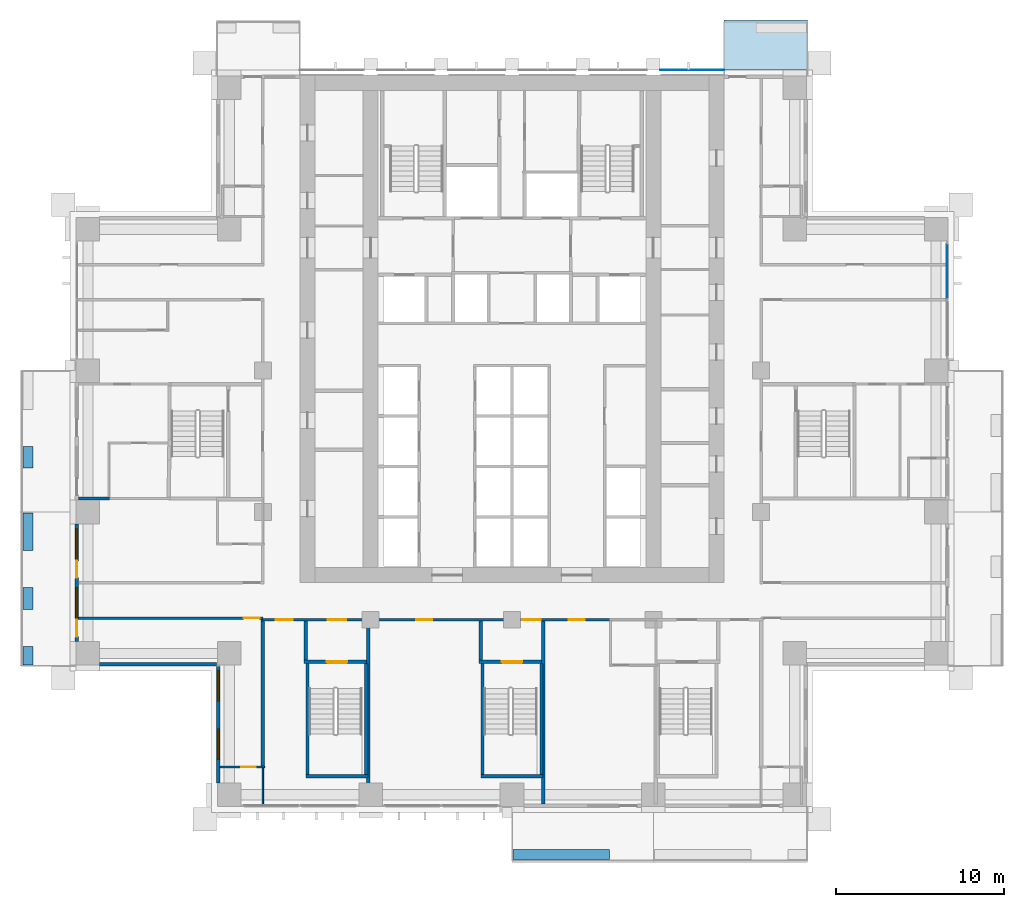
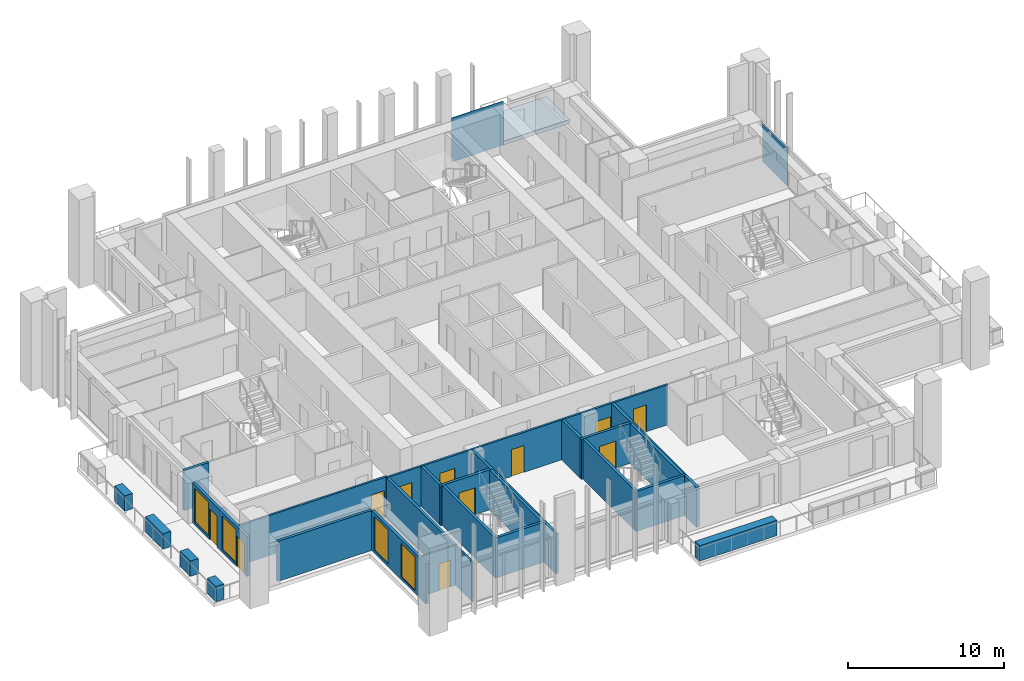
# One storey, part 8 of 19: 26 walls, 11 doors, 4 windows, 2 plates, 1 slab, 15 openings, 1 element without a shape of its own.
"""IFC4 building model written with IfcOpenShell, lengths in metres."""

from ifc_helpers import new_model, si_unit, direction, frame, frame_2d, origin, origin_2d, place, context, subcontext, project, spatial, polyline, rectangle, outline, extrude, material, layer, layer_set, type_object, element, fill, aggregate, save


model = new_model("IFC4")

# Units and contexts
model_context = context("Model", 3, precision=1e-05, world=origin(), true_north=direction((0.0, 1.0)))
body_context = subcontext(model_context, "Body", "Model", "MODEL_VIEW")
ifc_project = project(units=[si_unit("LENGTHUNIT", "METRE"), si_unit("AREAUNIT", "SQUARE_METRE"), si_unit("VOLUMEUNIT", "CUBIC_METRE"), si_unit("PLANEANGLEUNIT", "RADIAN"), si_unit("MASSUNIT", "GRAM", prefix="KILO")], contexts=[model_context])

# Site, building, storey
site_placement = place(None, origin())
site = spatial("IfcSite", under=ifc_project, at=site_placement, CompositionType="ELEMENT")
building_placement = place(site_placement, origin())
building = spatial("IfcBuilding", under=site, at=building_placement, Name="Vermilion Ogive Tower", CompositionType="ELEMENT")
storey_placement = place(building_placement, frame((0.0, 0.0, 48.300048828125)))
storey = spatial("IfcBuildingStorey", under=building, at=storey_placement, Name="L10", CompositionType="ELEMENT", Elevation=48.300048828125)

# Slab
ifc_material_1 = material(Name="Concrete B40", Category="concrete")
ifc_layer_1 = layer(ifc_material_1, 0.300048828125)
ifc_layer_set_1 = layer_set([ifc_layer_1], Name="Balcony slab")
slab_type = type_object("IfcSlabType", Name="Balcony slab", PredefinedType="FLOOR", material=ifc_layer_set_1)
slab_placement = place(storey_placement, frame((0.0, 0.0, -0.340087890625)))
element("IfcSlab", 1, at=slab_placement, inside=storey, type_object=slab_type, Name="Balcony slab N101", PredefinedType="FLOOR", context=body_context, shape_type="SweptSolid", body=[
    extrude(outline(polyline([(17.550048828125, 25.030029296875), (12.60009765625, 25.030029296875), (12.60009765625, 22.050048828125), (17.550048828125, 22.050048828125), (17.550048828125, 25.030029296875)])), origin(), (0.0, 0.0, 1.0), 0.300048828125),
])

# Curtain wall, plate
ifc_material_2 = material(Name="Low-iron laminated glazing in aluminium frame", Category="aluminium")
curtain_wall_type = type_object("IfcCurtainWallType", Name="Curtain wall CW7", PredefinedType="NOTDEFINED", material=ifc_material_2)
curtain_wall_placement = place(storey_placement, origin())
curtain_wall = element("IfcCurtainWall", 2, at=curtain_wall_placement, inside=storey, type_object=curtain_wall_type, Name="Glazed skin E3", PredefinedType="NOTDEFINED")
ifc_material_3 = material(Name="Low-iron laminated glazing in aluminium frame", Category="aluminium")
ifc_layer_2 = layer(ifc_material_3, 0.031982421875)
ifc_layer_set_2 = layer_set([ifc_layer_2], Name="CW7 glazing panel 32")
plate_type_1 = type_object("IfcPlateType", Name="CW7 glazing panel 32", PredefinedType="CURTAIN_PANEL", material=ifc_layer_set_2)
plate_1_placement = place(storey_placement, frame((25.85009765625, 10.10498046875, 0.06005859375), z_axis=(0.0, 0.0, 1.0), x_axis=(0.0, 1.0, 0.0)))
plate_1 = element("IfcPlate", 3, at=plate_1_placement, type_object=plate_type_1, Name="CW7-E3 panel 2.1", PredefinedType="CURTAIN_PANEL", context=body_context, shape_type="SweptSolid", body=[
    extrude(rectangle(XDim=3.22998046875, YDim=0.031982421875, at=origin_2d()), origin(), (0.0, 0.0, 1.0), 3.010009765625),
])
aggregate(curtain_wall, [plate_1])

# Plate
ifc_material_4 = material(Name="Low-iron laminated glazing in aluminium frame", Category="aluminium")
ifc_layer_3 = layer(ifc_material_4, 0.031982421875)
ifc_layer_set_3 = layer_set([ifc_layer_3], Name="Glazed rainscreen sheet 32")
plate_type_2 = type_object("IfcPlateType", Name="Glazed rainscreen sheet 32", PredefinedType="SHEET", material=ifc_layer_set_3)
plate_2_placement = place(storey_placement, frame((10.7099609375, 22.06591796875, -0.31982421875), z_axis=(0.0, 0.0, 1.0), x_axis=(1.0, 0.0, 0.0)))
element("IfcPlate", 4, at=plate_2_placement, inside=storey, type_object=plate_type_2, Name="Glazed rainscreen sheet N6", PredefinedType="SHEET", context=body_context, shape_type="SweptSolid", body=[
    extrude(rectangle(XDim=3.820068359375, YDim=0.031982421875, at=origin_2d()), origin(), (0.0, 0.0, 1.0), 3.449951171875),
])

# Wall, opening, door
ifc_material_5 = material(Name="Gypsum board partition on steel studs", Category="steel")
ifc_layer_4 = layer(ifc_material_5, 0.10009765625)
ifc_layer_set_4 = layer_set([ifc_layer_4], Name="Partition 100 bath")
wall_type_1 = type_object("IfcWallType", Name="Partition 100 bath", PredefinedType="PARTITIONING", material=ifc_layer_set_4)
wall_1_placement = place(storey_placement, frame((-17.35009765625, -19.35009765625, 0.0), z_axis=(0.0, 0.0, 1.0), x_axis=(1.0, 0.0, 0.0)))
wall_1 = element("IfcWall", 5, at=wall_1_placement, inside=storey, type_object=wall_type_1, Name="L10-W-W004", PredefinedType="PARTITIONING", context=body_context, shape_type="SweptSolid", body=[
    extrude(rectangle(XDim=2.650146484375, YDim=0.10009765625, at=frame_2d((1.3251953125, 0.0))), origin(), (0.0, 0.0, 1.0), 3.1298828125),
])
opening_1_placement = place(wall_1_placement, frame((1.275146484375, 0.0, 0.0)))
opening_1 = element("IfcOpeningElement", 6, at=opening_1_placement, cuts=wall_1, Name="Opening D1G3002", PredefinedType="OPENING", context=body_context, shape_type="SweptSolid", body=[
    extrude(rectangle(XDim=0.85009765625, YDim=2.10009765625, at=frame_2d((0.425048828125, 1.050048828125))), frame((0.0, 0.06005859375, 0.0), z_axis=(0.0, -1.0, 0.0), x_axis=(1.0, 0.0, 0.0)), (0.0, 0.0, 1.0), 0.1201171875),
])
ifc_material_6 = material(Name="Timber door leaf", Category="wood")
door_type_1 = type_object("IfcDoorType", Name="Bath door 850 x 2100 FD30", OperationType="SINGLE_SWING_LEFT", PredefinedType="DOOR", material=ifc_material_6)
door_1_placement = place(opening_1_placement, origin())
door_1 = element("IfcDoor", 7, at=door_1_placement, inside=storey, type_object=door_type_1, Name="L10-D-D002", OperationType="SINGLE_SWING_RIGHT", OverallHeight=2.10009765625, OverallWidth=0.85009765625, PredefinedType="DOOR", context=body_context, shape_type="SweptSolid", body=[
    extrude(rectangle(XDim=0.85009765625, YDim=2.10009765625, at=frame_2d((0.425048828125, 1.050048828125))), frame((0.0, 0.02490234375, 0.0), z_axis=(0.0, -1.0, 0.0), x_axis=(1.0, 0.0, 0.0)), (0.0, 0.0, 1.0), 0.050048828125),
])
fill(opening_1, door_1)

# Wall
wall_2_placement = place(storey_placement, frame((-14.800048828125, -21.550048828125, 0.0), z_axis=(0.0, 0.0, 1.0), x_axis=(0.0, 1.0, 0.0)))
element("IfcWall", 8, at=wall_2_placement, inside=storey, type_object=wall_type_1, Name="L10-W-W048", PredefinedType="PARTITIONING", context=body_context, shape_type="SweptSolid", body=[
    extrude(rectangle(XDim=2.150146484375, YDim=0.10009765625, at=frame_2d((1.0751953125, 0.0))), origin(), (0.0, 0.0, 1.0), 3.1298828125),
])

# Wall, openings, doors
ifc_material_7 = material(Name="Gypsum board partition on steel studs", Category="steel")
ifc_layer_5 = layer(ifc_material_7, 0.14990234375)
ifc_layer_set_5 = layer_set([ifc_layer_5], Name="Partition 150 corridor")
wall_type_2 = type_object("IfcWallType", Name="Partition 150 corridor", PredefinedType="PARTITIONING", material=ifc_layer_set_5)
wall_3_placement = place(storey_placement, frame((-14.89990234375, -10.60009765625, 0.0), z_axis=(0.0, 0.0, 1.0), x_axis=(1.0, 0.0, 0.0)))
wall_3 = element("IfcWall", 9, at=wall_3_placement, inside=storey, type_object=wall_type_2, Name="L10-W-W010", PredefinedType="PARTITIONING", context=body_context, shape_type="SweptSolid", body=[
    extrude(rectangle(XDim=20.7998046875, YDim=0.14990234375, at=frame_2d((10.39990234375, 0.0))), origin(), (0.0, 0.0, 1.0), 3.1298828125),
])
opening_2_placement = place(wall_3_placement, frame((9.224853515625, 0.0, 0.0)))
opening_2 = element("IfcOpeningElement", 10, at=opening_2_placement, cuts=wall_3, Name="Opening D1G3011", PredefinedType="OPENING", context=body_context, shape_type="SweptSolid", body=[
    extrude(rectangle(XDim=0.949951171875, YDim=2.10009765625, at=frame_2d((0.47509765625, 1.050048828125))), frame((0.0, 0.0849609375, 0.0), z_axis=(0.0, -1.0, 0.0), x_axis=(1.0, 0.0, 0.0)), (0.0, 0.0, 1.0), 0.169921875),
])
opening_3_placement = place(wall_3_placement, frame((18.27490234375, 0.0, 0.0)))
opening_3 = element("IfcOpeningElement", 11, at=opening_3_placement, cuts=wall_3, Name="Opening D1G3012", PredefinedType="OPENING", context=body_context, shape_type="SweptSolid", body=[
    extrude(rectangle(XDim=0.949951171875, YDim=2.10009765625, at=frame_2d((0.47509765625, 1.050048828125))), frame((0.0, 0.0849609375, 0.0), z_axis=(0.0, -1.0, 0.0), x_axis=(1.0, 0.0, 0.0)), (0.0, 0.0, 1.0), 0.169921875),
])
opening_4_placement = place(wall_3_placement, frame((3.949951171875, 0.0, 0.0)))
opening_4 = element("IfcOpeningElement", 12, at=opening_4_placement, cuts=wall_3, Name="Opening D1G3023", PredefinedType="OPENING", context=body_context, shape_type="SweptSolid", body=[
    extrude(rectangle(XDim=1.10009765625, YDim=2.10009765625, at=frame_2d((0.550048828125, 1.050048828125))), frame((0.0, 0.0849609375, 0.0), z_axis=(0.0, -1.0, 0.0), x_axis=(1.0, 0.0, 0.0)), (0.0, 0.0, 1.0), 0.169921875),
])
opening_5_placement = place(wall_3_placement, frame((15.5, 0.0, 0.0)))
opening_5 = element("IfcOpeningElement", 13, at=opening_5_placement, cuts=wall_3, Name="Opening D1G3025", PredefinedType="OPENING", context=body_context, shape_type="SweptSolid", body=[
    extrude(rectangle(XDim=1.10009765625, YDim=2.10009765625, at=frame_2d((0.550048828125, 1.050048828125))), frame((0.0, 0.0849609375, 0.0), z_axis=(0.0, -1.0, 0.0), x_axis=(1.0, 0.0, 0.0)), (0.0, 0.0, 1.0), 0.169921875),
])
opening_6_placement = place(wall_3_placement, frame((0.875, 0.0, 0.0)))
opening_6 = element("IfcOpeningElement", 14, at=opening_6_placement, cuts=wall_3, Name="Opening D1G3033", PredefinedType="OPENING", context=body_context, shape_type="SweptSolid", body=[
    extrude(rectangle(XDim=1.0, YDim=2.10009765625, at=frame_2d((0.5, 1.050048828125))), frame((0.0, 0.0849609375, 0.0), z_axis=(0.0, -1.0, 0.0), x_axis=(1.0, 0.0, 0.0)), (0.0, 0.0, 1.0), 0.169921875),
])
ifc_material_8 = material(Name="Timber door leaf", Category="wood")
door_type_2 = type_object("IfcDoorType", Name="Stair door 1100 x 2100 FD60S", OperationType="SINGLE_SWING_LEFT", PredefinedType="DOOR", material=ifc_material_8)
door_2_placement = place(opening_4_placement, origin())
door_2 = element("IfcDoor", 15, at=door_2_placement, inside=storey, type_object=door_type_2, Name="L10-D-D023", OperationType="SINGLE_SWING_RIGHT", OverallHeight=2.10009765625, OverallWidth=1.10009765625, PredefinedType="DOOR", context=body_context, shape_type="SweptSolid", body=[
    extrude(rectangle(XDim=1.10009765625, YDim=2.10009765625, at=frame_2d((0.550048828125, 1.050048828125))), frame((0.0, 0.02490234375, 0.0), z_axis=(0.0, -1.0, 0.0), x_axis=(1.0, 0.0, 0.0)), (0.0, 0.0, 1.0), 0.050048828125),
])
fill(opening_4, door_2)
door_3_placement = place(opening_5_placement, origin())
door_3 = element("IfcDoor", 16, at=door_3_placement, inside=storey, type_object=door_type_2, Name="L10-D-D025", OperationType="SINGLE_SWING_LEFT", OverallHeight=2.10009765625, OverallWidth=1.10009765625, PredefinedType="DOOR", context=body_context, shape_type="SweptSolid", body=[
    extrude(rectangle(XDim=1.10009765625, YDim=2.10009765625, at=frame_2d((0.550048828125, 1.050048828125))), frame((0.0, 0.02490234375, 0.0), z_axis=(0.0, -1.0, 0.0), x_axis=(1.0, 0.0, 0.0)), (0.0, 0.0, 1.0), 0.050048828125),
])
fill(opening_5, door_3)
ifc_material_9 = material(Name="Timber door leaf", Category="wood")
door_type_3 = type_object("IfcDoorType", Name="Unit door 1000 x 2100 FD30S", OperationType="SINGLE_SWING_LEFT", PredefinedType="DOOR", material=ifc_material_9)
door_4_placement = place(opening_6_placement, origin())
door_4 = element("IfcDoor", 17, at=door_4_placement, inside=storey, type_object=door_type_3, Name="L10-D-D033", OperationType="SINGLE_SWING_RIGHT", OverallHeight=2.10009765625, OverallWidth=1.0, PredefinedType="DOOR", context=body_context, shape_type="SweptSolid", body=[
    extrude(rectangle(XDim=1.0, YDim=2.10009765625, at=frame_2d((0.5, 1.050048828125))), frame((0.0, 0.02490234375, 0.0), z_axis=(0.0, -1.0, 0.0), x_axis=(1.0, 0.0, 0.0)), (0.0, 0.0, 1.0), 0.050048828125),
])
fill(opening_6, door_4)
ifc_material_10 = material(Name="Timber door leaf", Category="wood")
door_type_4 = type_object("IfcDoorType", Name="Unit door 950 x 2100 FD30S", OperationType="SINGLE_SWING_LEFT", PredefinedType="DOOR", material=ifc_material_10)
door_5_placement = place(opening_2_placement, origin())
door_5 = element("IfcDoor", 18, at=door_5_placement, inside=storey, type_object=door_type_4, Name="L10-D-D011", OperationType="SINGLE_SWING_LEFT", OverallHeight=2.10009765625, OverallWidth=0.949951171875, PredefinedType="DOOR", context=body_context, shape_type="SweptSolid", body=[
    extrude(rectangle(XDim=0.949951171875, YDim=2.10009765625, at=frame_2d((0.47509765625, 1.050048828125))), frame((0.0, 0.02490234375, 0.0), z_axis=(0.0, -1.0, 0.0), x_axis=(1.0, 0.0, 0.0)), (0.0, 0.0, 1.0), 0.050048828125),
])
fill(opening_2, door_5)
door_6_placement = place(opening_3_placement, origin())
door_6 = element("IfcDoor", 19, at=door_6_placement, inside=storey, type_object=door_type_4, Name="L10-D-D012", OperationType="SINGLE_SWING_LEFT", OverallHeight=2.10009765625, OverallWidth=0.949951171875, PredefinedType="DOOR", context=body_context, shape_type="SweptSolid", body=[
    extrude(rectangle(XDim=0.949951171875, YDim=2.10009765625, at=frame_2d((0.47509765625, 1.050048828125))), frame((0.0, 0.02490234375, 0.0), z_axis=(0.0, -1.0, 0.0), x_axis=(1.0, 0.0, 0.0)), (0.0, 0.0, 1.0), 0.050048828125),
])
fill(opening_3, door_6)

# Wall, opening, door
wall_4_placement = place(storey_placement, frame((-25.75, -10.5, 0.0), z_axis=(0.0, 0.0, 1.0), x_axis=(1.0, 0.0, 0.0)))
wall_4 = element("IfcWall", 20, at=wall_4_placement, inside=storey, type_object=wall_type_2, Name="L10-W-W013", PredefinedType="PARTITIONING", context=body_context, shape_type="SweptSolid", body=[
    extrude(rectangle(XDim=10.949951171875, YDim=0.14990234375, at=frame_2d((5.47509765625, 0.0))), origin(), (0.0, 0.0, 1.0), 3.1298828125),
])
opening_7_placement = place(wall_4_placement, frame((9.800048828125, 0.0, 0.0)))
opening_7 = element("IfcOpeningElement", 21, at=opening_7_placement, cuts=wall_4, Name="Opening D1G3001", PredefinedType="OPENING", context=body_context, shape_type="SweptSolid", body=[
    extrude(rectangle(XDim=0.949951171875, YDim=2.10009765625, at=frame_2d((0.47509765625, 1.050048828125))), frame((0.0, 0.0849609375, 0.0), z_axis=(0.0, -1.0, 0.0), x_axis=(1.0, 0.0, 0.0)), (0.0, 0.0, 1.0), 0.169921875),
])
door_7_placement = place(opening_7_placement, origin())
door_7 = element("IfcDoor", 22, at=door_7_placement, inside=storey, type_object=door_type_4, Name="L10-D-D001", OperationType="SINGLE_SWING_RIGHT", OverallHeight=2.10009765625, OverallWidth=0.949951171875, PredefinedType="DOOR", context=body_context, shape_type="SweptSolid", body=[
    extrude(rectangle(XDim=0.949951171875, YDim=2.10009765625, at=frame_2d((0.47509765625, 1.050048828125))), frame((0.0, 0.02490234375, 0.0), z_axis=(0.0, -1.0, 0.0), x_axis=(1.0, 0.0, 0.0)), (0.0, 0.0, 1.0), 0.050048828125),
])
fill(opening_7, door_7)

# Walls
ifc_material_11 = material(Name="Gypsum board partition on steel studs", Category="steel")
ifc_layer_6 = layer(ifc_material_11, 0.199951171875)
ifc_layer_set_6 = layer_set([ifc_layer_6], Name="Partition 200 party")
wall_type_3 = type_object("IfcWallType", Name="Partition 200 party", PredefinedType="PARTITIONING", material=ifc_layer_set_6)
wall_5_placement = place(storey_placement, frame((-25.75, -3.39990234375, 0.0), z_axis=(0.0, 0.0, 1.0), x_axis=(1.0, 0.0, 0.0)))
element("IfcWall", 23, at=wall_5_placement, inside=storey, type_object=wall_type_3, Name="L10-W-W018", PredefinedType="PARTITIONING", context=body_context, shape_type="SweptSolid", body=[
    extrude(rectangle(XDim=1.85009765625, YDim=0.199951171875, at=frame_2d((0.925048828125, 0.0))), origin(), (0.0, 0.0, 1.0), 3.1298828125),
])
wall_6_placement = place(storey_placement, frame((-14.800048828125, -19.300048828125, 0.0), z_axis=(0.0, 0.0, 1.0), x_axis=(0.0, 1.0, 0.0)))
element("IfcWall", 24, at=wall_6_placement, inside=storey, type_object=wall_type_3, Name="L10-W-W049", PredefinedType="PARTITIONING", context=body_context, shape_type="SweptSolid", body=[
    extrude(rectangle(XDim=8.625, YDim=0.199951171875, at=frame_2d((4.3125, 0.0))), origin(), (0.0, 0.0, 1.0), 3.1298828125),
])
ifc_material_12 = material(Name="Concrete B60", Category="concrete")
ifc_layer_7 = layer(ifc_material_12, 0.199951171875)
ifc_layer_set_7 = layer_set([ifc_layer_7], Name="Stair shaft wall 200 Concrete B60")
wall_type_4 = type_object("IfcWallType", Name="Stair shaft wall 200 Concrete B60", PredefinedType="SOLIDWALL", material=ifc_layer_set_7)
wall_7_placement = place(storey_placement, frame((-12.248046875, -19.89990234375, 0.0), z_axis=(0.0, 0.0, 1.0), x_axis=(1.0, 0.0, 0.0)))
element("IfcWall", 25, at=wall_7_placement, inside=storey, type_object=wall_type_4, Name="L10-W-W001", PredefinedType="SOLIDWALL", context=body_context, shape_type="SweptSolid", body=[
    extrude(rectangle(XDim=3.696044921875, YDim=0.199951171875, at=frame_2d((1.84814453125, 0.0))), origin(), (0.0, 0.0, 1.0), 3.1298828125),
])
wall_8_placement = place(storey_placement, frame((-1.847900390625, -19.89990234375, 0.0), z_axis=(0.0, 0.0, 1.0), x_axis=(1.0, 0.0, 0.0)))
element("IfcWall", 26, at=wall_8_placement, inside=storey, type_object=wall_type_4, Name="L10-W-W002", PredefinedType="SOLIDWALL", context=body_context, shape_type="SweptSolid", body=[
    extrude(rectangle(XDim=3.69580078125, YDim=0.199951171875, at=frame_2d((1.847900390625, 0.0))), origin(), (0.0, 0.0, 1.0), 3.1298828125),
])

# Wall, opening, door
wall_9_placement = place(storey_placement, frame((-12.347900390625, -13.10009765625, 0.0), z_axis=(0.0, 0.0, 1.0), x_axis=(1.0, 0.0, 0.0)))
wall_9 = element("IfcWall", 27, at=wall_9_placement, inside=storey, type_object=wall_type_4, Name="L10-W-W007", PredefinedType="SOLIDWALL", context=body_context, shape_type="SweptSolid", body=[
    extrude(rectangle(XDim=3.69580078125, YDim=0.199951171875, at=frame_2d((1.847900390625, 0.0))), origin(), (0.0, 0.0, 1.0), 3.1298828125),
])
opening_8_placement = place(wall_9_placement, frame((1.347900390625, 0.0, 0.0)))
opening_8 = element("IfcOpeningElement", 28, at=opening_8_placement, cuts=wall_9, Name="Opening D1G3024", PredefinedType="OPENING", context=body_context, shape_type="SweptSolid", body=[
    extrude(rectangle(XDim=1.199951171875, YDim=2.10009765625, at=frame_2d((0.60009765625, 1.050048828125))), frame((0.0, 0.10986328125, 0.0), z_axis=(0.0, -1.0, 0.0), x_axis=(1.0, 0.0, 0.0)), (0.0, 0.0, 1.0), 0.219970703125),
])
ifc_material_13 = material(Name="Timber door leaf", Category="wood")
door_type_5 = type_object("IfcDoorType", Name="Stair door 1200 x 2100 FD60S", OperationType="SINGLE_SWING_LEFT", PredefinedType="DOOR", material=ifc_material_13)
door_8_placement = place(opening_8_placement, origin())
door_8 = element("IfcDoor", 29, at=door_8_placement, inside=storey, type_object=door_type_5, Name="L10-D-D024", OperationType="SINGLE_SWING_RIGHT", OverallHeight=2.10009765625, OverallWidth=1.199951171875, PredefinedType="DOOR", context=body_context, shape_type="SweptSolid", body=[
    extrude(rectangle(XDim=1.199951171875, YDim=2.10009765625, at=frame_2d((0.60009765625, 1.050048828125))), frame((0.0, 0.02490234375, 0.0), z_axis=(0.0, -1.0, 0.0), x_axis=(1.0, 0.0, 0.0)), (0.0, 0.0, 1.0), 0.050048828125),
])
fill(opening_8, door_8)

wall_10_placement = place(storey_placement, frame((-1.947998046875, -13.10009765625, 0.0), z_axis=(0.0, 0.0, 1.0), x_axis=(1.0, 0.0, 0.0)))
wall_10 = element("IfcWall", 30, at=wall_10_placement, inside=storey, type_object=wall_type_4, Name="L10-W-W008", PredefinedType="SOLIDWALL", context=body_context, shape_type="SweptSolid", body=[
    extrude(rectangle(XDim=3.696044921875, YDim=0.199951171875, at=frame_2d((1.84814453125, 0.0))), origin(), (0.0, 0.0, 1.0), 3.1298828125),
])
opening_9_placement = place(wall_10_placement, frame((1.347900390625, 0.0, 0.0)))
opening_9 = element("IfcOpeningElement", 31, at=opening_9_placement, cuts=wall_10, Name="Opening D1G3026", PredefinedType="OPENING", context=body_context, shape_type="SweptSolid", body=[
    extrude(rectangle(XDim=1.199951171875, YDim=2.10009765625, at=frame_2d((0.60009765625, 1.050048828125))), frame((0.0, 0.10986328125, 0.0), z_axis=(0.0, -1.0, 0.0), x_axis=(1.0, 0.0, 0.0)), (0.0, 0.0, 1.0), 0.219970703125),
])
door_9_placement = place(opening_9_placement, origin())
door_9 = element("IfcDoor", 32, at=door_9_placement, inside=storey, type_object=door_type_5, Name="L10-D-D026", OperationType="SINGLE_SWING_RIGHT", OverallHeight=2.10009765625, OverallWidth=1.199951171875, PredefinedType="DOOR", context=body_context, shape_type="SweptSolid", body=[
    extrude(rectangle(XDim=1.199951171875, YDim=2.10009765625, at=frame_2d((0.60009765625, 1.050048828125))), frame((0.0, 0.02490234375, 0.0), z_axis=(0.0, -1.0, 0.0), x_axis=(1.0, 0.0, 0.0)), (0.0, 0.0, 1.0), 0.050048828125),
])
fill(opening_9, door_9)

# Walls
wall_11_placement = place(storey_placement, frame((-12.25, -12.998046875, 0.0), z_axis=(0.0, 0.0, 1.0), x_axis=(0.0, 1.0, 0.0)))
element("IfcWall", 33, at=wall_11_placement, inside=storey, type_object=wall_type_4, Name="L10-W-W056", PredefinedType="SOLIDWALL", context=body_context, shape_type="SweptSolid", body=[
    extrude(rectangle(XDim=2.322998046875, YDim=0.199951171875, at=frame_2d((1.16162109375, 0.0))), origin(), (0.0, 0.0, 1.0), 3.1298828125),
])
for number, where, z_axis, x_axis, name in (
    (34, (-12.14990234375, -19.798095703125, 0.0), (0.0, 0.0, 1.0), (0.0, 1.0, 0.0), "L10-W-W057"),
    (35, (-8.64990234375, -19.798095703125, 0.0), (0.0, 0.0, 1.0), (0.0, 1.0, 0.0), "L10-W-W058"),
):
    element("IfcWall", number, at=place(storey_placement, frame(where, z_axis=z_axis, x_axis=x_axis)), inside=storey, type_object=wall_type_4, Name=name, PredefinedType="SOLIDWALL", context=body_context, shape_type="SweptSolid", body=[
        extrude(rectangle(XDim=6.59619140625, YDim=0.199951171875, at=frame_2d((3.298095703125, 0.0))), origin(), (0.0, 0.0, 1.0), 3.1298828125),
    ])
wall_12_placement = place(storey_placement, frame((-1.85009765625, -12.998046875, 0.0), z_axis=(0.0, 0.0, 1.0), x_axis=(0.0, 1.0, 0.0)))
element("IfcWall", 36, at=wall_12_placement, inside=storey, type_object=wall_type_4, Name="L10-W-W060", PredefinedType="SOLIDWALL", context=body_context, shape_type="SweptSolid", body=[
    extrude(rectangle(XDim=2.322998046875, YDim=0.199951171875, at=frame_2d((1.16162109375, 0.0))), origin(), (0.0, 0.0, 1.0), 3.1298828125),
])
for number, where, z_axis, x_axis, name in (
    (37, (-1.75, -19.798095703125, 0.0), (0.0, 0.0, 1.0), (0.0, 1.0, 0.0), "L10-W-W061"),
    (38, (1.75, -19.798095703125, 0.0), (0.0, 0.0, 1.0), (0.0, 1.0, 0.0), "L10-W-W062"),
):
    element("IfcWall", number, at=place(storey_placement, frame(where, z_axis=z_axis, x_axis=x_axis)), inside=storey, type_object=wall_type_4, Name=name, PredefinedType="SOLIDWALL", context=body_context, shape_type="SweptSolid", body=[
        extrude(rectangle(XDim=6.59619140625, YDim=0.199951171875, at=frame_2d((3.298095703125, 0.0))), origin(), (0.0, 0.0, 1.0), 3.1298828125),
    ])
for number, where, z_axis, x_axis, name in (
    (39, (1.85009765625, -21.550048828125, 0.0), (0.0, 0.0, 1.0), (0.0, 1.0, 0.0), "L10-W-W063-A"),
    (40, (-8.550048828125, -21.550048828125, 0.0), (0.0, 0.0, 1.0), (0.0, 1.0, 0.0), "L10-W-W059-A"),
):
    element("IfcWall", number, at=place(storey_placement, frame(where, z_axis=z_axis, x_axis=x_axis)), inside=storey, type_object=wall_type_4, Name=name, PredefinedType="SOLIDWALL", context=body_context, shape_type="SweptSolid", body=[
        extrude(rectangle(XDim=10.875, YDim=0.199951171875, at=frame_2d((5.4375, 0.0))), origin(), (0.0, 0.0, 1.0), 3.1298828125),
    ])
ifc_material_14 = material(Name="Concrete B40", Category="concrete")
ifc_layer_8 = layer(ifc_material_14, 0.60009765625)
ifc_layer_set_8 = layer_set([ifc_layer_8], Name="Structural planter")
wall_type_5 = type_object("IfcWallType", Name="Structural planter", PredefinedType="USERDEFINED", material=ifc_layer_set_8)
wall_13_placement = place(storey_placement, frame((0.06005859375, -24.550048828125, -0.0400390625), z_axis=(0.0, 0.0, 1.0), x_axis=(1.0, 0.0, 0.0)))
element("IfcWall", 41, at=wall_13_placement, inside=storey, type_object=wall_type_5, Name="Planter S03A1", ObjectType="PLANTER", PredefinedType="USERDEFINED", context=body_context, shape_type="SweptSolid", body=[
    extrude(rectangle(XDim=5.739990234375, YDim=0.60009765625, at=frame_2d((2.8701171875, 0.0))), origin(), (0.0, 0.0, 1.0), 1.199951171875),
])
wall_14_placement = place(storey_placement, frame((-28.75, -0.300048828125, -0.0400390625), z_axis=(0.0, 0.0, 1.0), x_axis=(0.0, -1.0, 0.0)))
element("IfcWall", 42, at=wall_14_placement, inside=storey, type_object=wall_type_5, Name="Planter W02A2", ObjectType="PLANTER", PredefinedType="USERDEFINED", context=body_context, shape_type="SweptSolid", body=[
    extrude(rectangle(XDim=1.300048828125, YDim=0.60009765625, at=frame_2d((0.64990234375, 0.0))), origin(), (0.0, 0.0, 1.0), 1.199951171875),
])
wall_15_placement = place(storey_placement, frame((-28.75, -4.260009765625, -0.0400390625), z_axis=(0.0, 0.0, 1.0), x_axis=(0.0, -1.0, 0.0)))
element("IfcWall", 43, at=wall_15_placement, inside=storey, type_object=wall_type_5, Name="Planter W03A1", ObjectType="PLANTER", PredefinedType="USERDEFINED", context=body_context, shape_type="SweptSolid", body=[
    extrude(rectangle(XDim=2.239990234375, YDim=0.60009765625, at=frame_2d((1.1201171875, 0.0))), origin(), (0.0, 0.0, 1.0), 1.199951171875),
])
wall_16_placement = place(storey_placement, frame((-28.75, -8.699951171875, -0.0400390625), z_axis=(0.0, 0.0, 1.0), x_axis=(0.0, -1.0, 0.0)))
element("IfcWall", 44, at=wall_16_placement, inside=storey, type_object=wall_type_5, Name="Planter W03A2", ObjectType="PLANTER", PredefinedType="USERDEFINED", context=body_context, shape_type="SweptSolid", body=[
    extrude(rectangle(XDim=1.300048828125, YDim=0.60009765625, at=frame_2d((0.64990234375, 0.0))), origin(), (0.0, 0.0, 1.0), 1.199951171875),
])
wall_17_placement = place(storey_placement, frame((-28.75, -12.199951171875, -0.0400390625), z_axis=(0.0, 0.0, 1.0), x_axis=(0.0, -1.0, 0.0)))
element("IfcWall", 45, at=wall_17_placement, inside=storey, type_object=wall_type_5, Name="Planter W03A3", ObjectType="PLANTER", PredefinedType="USERDEFINED", context=body_context, shape_type="SweptSolid", body=[
    extrude(rectangle(XDim=1.090087890625, YDim=0.60009765625, at=frame_2d((0.544921875, 0.0))), origin(), (0.0, 0.0, 1.0), 1.199951171875),
])

# Wall, openings, doors, windows
ifc_material_15 = material(Name="Aluminium window wall framing", Category="aluminium")
ifc_layer_9 = layer(ifc_material_15, 0.199951171875)
ifc_layer_set_9 = layer_set([ifc_layer_9], Name="Window wall")
wall_type_6 = type_object("IfcWallType", Name="Window wall", PredefinedType="STANDARD", material=ifc_layer_set_9)
wall_18_placement = place(storey_placement, frame((-25.85009765625, -4.89990234375, 0.0), z_axis=(0.0, 0.0, 1.0), x_axis=(0.0, -1.0, 0.0)))
wall_18 = element("IfcWall", 46, at=wall_18_placement, inside=storey, type_object=wall_type_6, Name="Window wall W3", PredefinedType="STANDARD", context=body_context, shape_type="SweptSolid", body=[
    extrude(rectangle(XDim=7.0, YDim=0.199951171875, at=frame_2d((3.5, 0.0))), origin(), (0.0, 0.0, 1.0), 3.1298828125),
])
opening_10_placement = place(wall_18_placement, frame((3.800048828125, 0.0, 0.199951171875)))
opening_10 = element("IfcOpeningElement", 47, at=opening_10_placement, cuts=wall_18, Name="Opening W1-W97", PredefinedType="OPENING", context=body_context, shape_type="SweptSolid", body=[
    extrude(rectangle(XDim=1.800048828125, YDim=2.64990234375, at=frame_2d((0.89990234375, 1.324951171875))), frame((0.0, 0.10986328125, 0.0), z_axis=(0.0, -1.0, 0.0), x_axis=(1.0, 0.0, 0.0)), (0.0, 0.0, 1.0), 0.219970703125),
])
opening_11_placement = place(wall_18_placement, frame((5.699951171875, 0.0, 0.0)))
opening_11 = element("IfcOpeningElement", 48, at=opening_11_placement, cuts=wall_18, Name="Opening D1-W97", PredefinedType="OPENING", context=body_context, shape_type="SweptSolid", body=[
    extrude(rectangle(XDim=1.0, YDim=2.39990234375, at=frame_2d((0.5, 1.199951171875))), frame((0.0, 0.10986328125, 0.0), z_axis=(0.0, -1.0, 0.0), x_axis=(1.0, 0.0, 0.0)), (0.0, 0.0, 1.0), 0.219970703125),
])
opening_12_placement = place(wall_18_placement, frame((0.300048828125, 0.0, 0.199951171875)))
opening_12 = element("IfcOpeningElement", 49, at=opening_12_placement, cuts=wall_18, Name="Opening W1-W98", PredefinedType="OPENING", context=body_context, shape_type="SweptSolid", body=[
    extrude(rectangle(XDim=1.800048828125, YDim=2.64990234375, at=frame_2d((0.89990234375, 1.324951171875))), frame((0.0, 0.10986328125, 0.0), z_axis=(0.0, -1.0, 0.0), x_axis=(1.0, 0.0, 0.0)), (0.0, 0.0, 1.0), 0.219970703125),
])
opening_13_placement = place(wall_18_placement, frame((2.199951171875, 0.0, 0.0)))
opening_13 = element("IfcOpeningElement", 50, at=opening_13_placement, cuts=wall_18, Name="Opening D1-W98", PredefinedType="OPENING", context=body_context, shape_type="SweptSolid", body=[
    extrude(rectangle(XDim=1.0, YDim=2.39990234375, at=frame_2d((0.5, 1.199951171875))), frame((0.0, 0.10986328125, 0.0), z_axis=(0.0, -1.0, 0.0), x_axis=(1.0, 0.0, 0.0)), (0.0, 0.0, 1.0), 0.219970703125),
])
ifc_material_16 = material(Name="Aluminium framed glazed door", Category="aluminium")
door_type_6 = type_object("IfcDoorType", Name="Balcony door D1", OperationType="SINGLE_SWING_LEFT", PredefinedType="DOOR", material=ifc_material_16)
door_10_placement = place(opening_11_placement, origin())
door_10 = element("IfcDoor", 51, at=door_10_placement, inside=storey, type_object=door_type_6, Name="Balcony door W97", OperationType="SINGLE_SWING_LEFT", OverallHeight=2.39990234375, OverallWidth=1.0, PredefinedType="DOOR", context=body_context, shape_type="SweptSolid", body=[
    extrude(rectangle(XDim=1.0, YDim=2.39990234375, at=frame_2d((0.5, 1.199951171875))), frame((0.0, 0.02490234375, 0.0), z_axis=(0.0, -1.0, 0.0), x_axis=(1.0, 0.0, 0.0)), (0.0, 0.0, 1.0), 0.050048828125),
])
fill(opening_11, door_10)
door_11_placement = place(opening_13_placement, origin())
door_11 = element("IfcDoor", 52, at=door_11_placement, inside=storey, type_object=door_type_6, Name="Balcony door W98", OperationType="SINGLE_SWING_LEFT", OverallHeight=2.39990234375, OverallWidth=1.0, PredefinedType="DOOR", context=body_context, shape_type="SweptSolid", body=[
    extrude(rectangle(XDim=1.0, YDim=2.39990234375, at=frame_2d((0.5, 1.199951171875))), frame((0.0, 0.02490234375, 0.0), z_axis=(0.0, -1.0, 0.0), x_axis=(1.0, 0.0, 0.0)), (0.0, 0.0, 1.0), 0.050048828125),
])
fill(opening_13, door_11)
ifc_material_17 = material(Name="Aluminium framed double glazing", Category="aluminium")
window_type = type_object("IfcWindowType", Name="Guest window W1", PartitioningType="SINGLE_PANEL", PredefinedType="WINDOW", material=ifc_material_17)
window_1_placement = place(opening_10_placement, origin())
window_1 = element("IfcWindow", 53, at=window_1_placement, inside=storey, type_object=window_type, Name="Window W97", OverallHeight=2.64990234375, OverallWidth=1.800048828125, PartitioningType="SINGLE_PANEL", PredefinedType="WINDOW", context=body_context, shape_type="SweptSolid", body=[
    extrude(rectangle(XDim=1.800048828125, YDim=2.64990234375, at=frame_2d((0.89990234375, 1.324951171875))), frame((0.0, 0.030029296875, 0.0), z_axis=(0.0, -1.0, 0.0), x_axis=(1.0, 0.0, 0.0)), (0.0, 0.0, 1.0), 0.06005859375),
])
fill(opening_10, window_1)
window_2_placement = place(opening_12_placement, origin())
window_2 = element("IfcWindow", 54, at=window_2_placement, inside=storey, type_object=window_type, Name="Window W98", OverallHeight=2.64990234375, OverallWidth=1.800048828125, PartitioningType="SINGLE_PANEL", PredefinedType="WINDOW", context=body_context, shape_type="SweptSolid", body=[
    extrude(rectangle(XDim=1.800048828125, YDim=2.64990234375, at=frame_2d((0.89990234375, 1.324951171875))), frame((0.0, 0.030029296875, 0.0), z_axis=(0.0, -1.0, 0.0), x_axis=(1.0, 0.0, 0.0)), (0.0, 0.0, 1.0), 0.06005859375),
])
fill(opening_12, window_2)

# Wall
wall_19_placement = place(storey_placement, frame((-24.5, -13.25, 0.0), z_axis=(0.0, 0.0, 1.0), x_axis=(1.0, 0.0, 0.0)))
element("IfcWall", 55, at=wall_19_placement, inside=storey, type_object=wall_type_6, Name="Window wall X71", PredefinedType="STANDARD", context=body_context, shape_type="SweptSolid", body=[
    extrude(rectangle(XDim=6.949951171875, YDim=0.199951171875, at=frame_2d((3.47509765625, 0.0))), origin(), (0.0, 0.0, 1.0), 3.1298828125),
])

# Wall, openings, windows
wall_20_placement = place(storey_placement, frame((-17.449951171875, -13.35009765625, 0.0), z_axis=(0.0, 0.0, 1.0), x_axis=(0.0, -1.0, 0.0)))
wall_20 = element("IfcWall", 56, at=wall_20_placement, inside=storey, type_object=wall_type_6, Name="Window wall X81", PredefinedType="STANDARD", context=body_context, shape_type="SweptSolid", body=[
    extrude(rectangle(XDim=6.949951171875, YDim=0.199951171875, at=frame_2d((3.47509765625, 0.0))), origin(), (0.0, 0.0, 1.0), 3.1298828125),
])
opening_14_placement = place(wall_20_placement, frame((3.75, 0.0, 0.199951171875)))
opening_14 = element("IfcOpeningElement", 57, at=opening_14_placement, cuts=wall_20, Name="Opening W1-X895", PredefinedType="OPENING", context=body_context, shape_type="SweptSolid", body=[
    extrude(rectangle(XDim=1.800048828125, YDim=2.64990234375, at=frame_2d((0.89990234375, 1.324951171875))), frame((0.0, 0.10986328125, 0.0), z_axis=(0.0, -1.0, 0.0), x_axis=(1.0, 0.0, 0.0)), (0.0, 0.0, 1.0), 0.219970703125),
])
opening_15_placement = place(wall_20_placement, frame((0.27490234375, 0.0, 0.199951171875)))
opening_15 = element("IfcOpeningElement", 58, at=opening_15_placement, cuts=wall_20, Name="Opening W1-X896", PredefinedType="OPENING", context=body_context, shape_type="SweptSolid", body=[
    extrude(rectangle(XDim=1.800048828125, YDim=2.64990234375, at=frame_2d((0.89990234375, 1.324951171875))), frame((0.0, 0.10986328125, 0.0), z_axis=(0.0, -1.0, 0.0), x_axis=(1.0, 0.0, 0.0)), (0.0, 0.0, 1.0), 0.219970703125),
])
window_3_placement = place(opening_14_placement, origin())
window_3 = element("IfcWindow", 59, at=window_3_placement, inside=storey, type_object=window_type, Name="Window X895", OverallHeight=2.64990234375, OverallWidth=1.800048828125, PartitioningType="SINGLE_PANEL", PredefinedType="WINDOW", context=body_context, shape_type="SweptSolid", body=[
    extrude(rectangle(XDim=1.800048828125, YDim=2.64990234375, at=frame_2d((0.89990234375, 1.324951171875))), frame((0.0, 0.030029296875, 0.0), z_axis=(0.0, -1.0, 0.0), x_axis=(1.0, 0.0, 0.0)), (0.0, 0.0, 1.0), 0.06005859375),
])
fill(opening_14, window_3)
window_4_placement = place(opening_15_placement, origin())
window_4 = element("IfcWindow", 60, at=window_4_placement, inside=storey, type_object=window_type, Name="Window X896", OverallHeight=2.64990234375, OverallWidth=1.800048828125, PartitioningType="SINGLE_PANEL", PredefinedType="WINDOW", context=body_context, shape_type="SweptSolid", body=[
    extrude(rectangle(XDim=1.800048828125, YDim=2.64990234375, at=frame_2d((0.89990234375, 1.324951171875))), frame((0.0, 0.030029296875, 0.0), z_axis=(0.0, -1.0, 0.0), x_axis=(1.0, 0.0, 0.0)), (0.0, 0.0, 1.0), 0.06005859375),
])
fill(opening_15, window_4)

save(model, "model.ifc")
